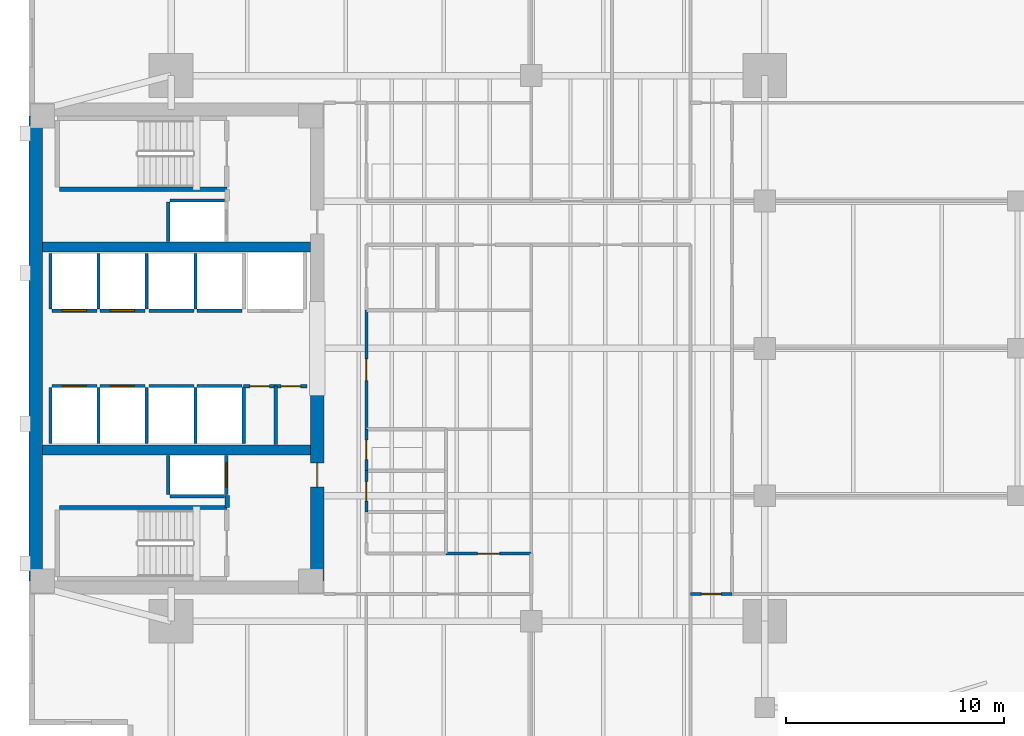
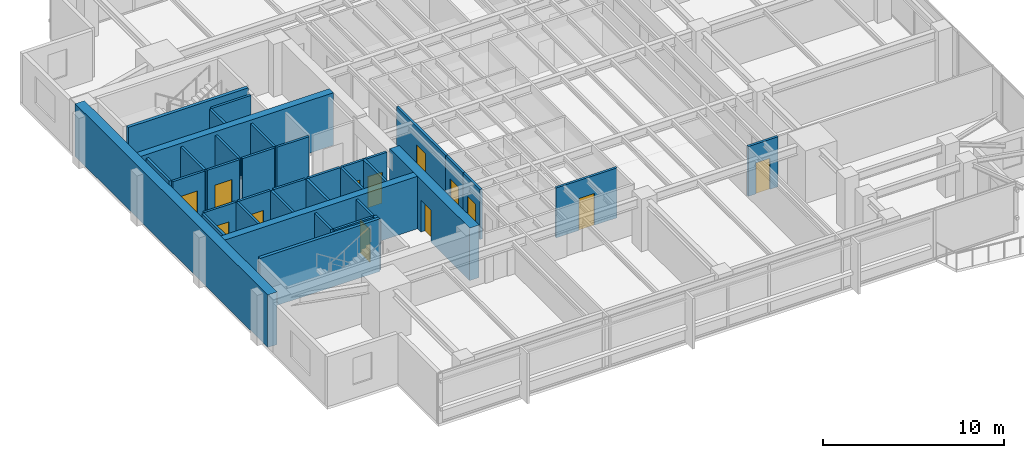
# One storey, part 8 of 14: 36 walls, 13 doors, 13 openings.
"""IFC4 building model written with IfcOpenShell, lengths in metres."""

from ifc_helpers import new_model, si_unit, direction, frame, frame_2d, origin, place, context, subcontext, project, spatial, rectangle, extrude, material, layer, layer_set, type_object, element, fill, save


model = new_model("IFC4")

# Units and contexts
model_context = context("Model", 3, precision=1e-05, world=origin(), true_north=direction((0.0, 1.0)))
body_context = subcontext(model_context, "Body", "Model", "MODEL_VIEW")
ifc_project = project(units=[si_unit("LENGTHUNIT", "METRE"), si_unit("AREAUNIT", "SQUARE_METRE"), si_unit("VOLUMEUNIT", "CUBIC_METRE"), si_unit("PLANEANGLEUNIT", "RADIAN"), si_unit("MASSUNIT", "GRAM", prefix="KILO")], contexts=[model_context])

# Site, building, storey
site_placement = place(None, origin())
site = spatial("IfcSite", under=ifc_project, at=site_placement, CompositionType="ELEMENT")
building_placement = place(site_placement, origin())
building = spatial("IfcBuilding", under=site, at=building_placement, Name="Kinhvarn Gate Tower", CompositionType="ELEMENT")
storey_placement = place(building_placement, frame((0.0, 0.0, 155.5)))
storey = spatial("IfcBuildingStorey", under=building, at=storey_placement, Name="L41", CompositionType="ELEMENT", Elevation=155.5)

# Walls
ifc_material_1 = material(Name="Concrete C50/60", Category="concrete")
ifc_layer_1 = layer(ifc_material_1, 0.449951171875)
ifc_layer_set_1 = layer_set([ifc_layer_1], Name="Concrete C50/60")
wall_type_1 = type_object("IfcWallType", Name="WL-CORE-450", PredefinedType="SHEAR", material=ifc_layer_set_1)
for number, where, z_axis, x_axis, name in (
    (1, (5.10009765625, 20.60009765625, 0.0), (0.0, 0.0, 1.0), (1.0, 0.0, 0.0), "Core South Spine Shear Wall L41 450 mm"),
    (2, (5.10009765625, 29.89990234375, 0.0), (0.0, 0.0, 1.0), (1.0, 0.0, 0.0), "Core North Spine Shear Wall L41 450 mm"),
):
    element("IfcWall", number, at=place(storey_placement, frame(where, z_axis=z_axis, x_axis=x_axis)), inside=storey, type_object=wall_type_1, Name=name, PredefinedType="SHEAR", context=body_context, shape_type="SweptSolid", body=[
        extrude(rectangle(XDim=12.2998046875, YDim=0.449951171875, at=frame_2d((6.14990234375, 0.0))), origin(), (0.0, 0.0, 1.0), 3.550048828125),
    ])

# Wall, opening, door
ifc_material_2 = material(Name="Concrete C60/75", Category="concrete")
ifc_layer_2 = layer(ifc_material_2, 0.60009765625)
ifc_layer_set_2 = layer_set([ifc_layer_2], Name="Concrete C60/75")
wall_type_2 = type_object("IfcWallType", Name="WL-CORE-600", PredefinedType="SHEAR", material=ifc_layer_set_2)
wall_1_placement = place(storey_placement, frame((17.699951171875, 14.60009765625, 0.0), z_axis=(0.0, 0.0, 1.0), x_axis=(0.0, 1.0, 0.0)))
wall_1 = element("IfcWall", 3, at=wall_1_placement, inside=storey, type_object=wall_type_2, Name="Core East-South Shear Pier L41 600 mm", PredefinedType="SHEAR", context=body_context, shape_type="SweptSolid", body=[
    extrude(rectangle(XDim=8.849853515625, YDim=0.60009765625, at=frame_2d((4.4248046875, 0.0))), origin(), (0.0, 0.0, 1.0), 3.550048828125),
])
opening_1_placement = place(wall_1_placement, frame((4.300048828125, 0.0, 0.0)))
opening_1 = element("IfcOpeningElement", 4, at=opening_1_placement, cuts=wall_1, Name="Opening FD-02", PredefinedType="OPENING", context=body_context, shape_type="SweptSolid", body=[
    extrude(rectangle(XDim=1.10009765625, YDim=2.14990234375, at=frame_2d((0.550048828125, 1.074951171875))), frame((0.0, 0.31005859375, 0.0), z_axis=(0.0, -1.0, 0.0), x_axis=(1.0, 0.0, 0.0)), (0.0, 0.0, 1.0), 0.6201171875),
])
ifc_material_3 = material(Name="Anodised aluminium AW-6063", Category="aluminium")
door_type_1 = type_object("IfcDoorType", Name="DR-FD-1100", OperationType="NOTDEFINED", PredefinedType="DOOR", material=ifc_material_3)
door_1_placement = place(opening_1_placement, origin())
door_1 = element("IfcDoor", 5, at=door_1_placement, inside=storey, type_object=door_type_1, Name="Firefighting Lobby Core Door (L41)", OperationType="SINGLE_SWING_RIGHT", OverallHeight=2.14990234375, OverallWidth=1.10009765625, PredefinedType="DOOR", context=body_context, shape_type="SweptSolid", body=[
    extrude(rectangle(XDim=1.10009765625, YDim=2.14990234375, at=frame_2d((0.550048828125, 1.074951171875))), frame((0.0, 0.02490234375, 0.0), z_axis=(0.0, -1.0, 0.0), x_axis=(1.0, 0.0, 0.0)), (0.0, 0.0, 1.0), 0.050048828125),
])
fill(opening_1, door_1)

# Wall
ifc_layer_3 = layer(ifc_material_2, 0.60009765625)
ifc_layer_set_3 = layer_set([ifc_layer_3], Name="Concrete C60/75")
wall_type_3 = type_object("IfcWallType", Name="WL-COREX-600", PredefinedType="SHEAR", material=ifc_layer_set_3)
wall_2_placement = place(storey_placement, frame((4.800048828125, 14.60009765625, 0.0), z_axis=(0.0, 0.0, 1.0), x_axis=(0.0, 1.0, 0.0)))
element("IfcWall", 6, at=wall_2_placement, inside=storey, type_object=wall_type_3, Name="Core West Shear Wall L41 600 mm", PredefinedType="SHEAR", context=body_context, shape_type="SweptSolid", body=[
    extrude(rectangle(XDim=21.2998046875, YDim=0.60009765625, at=frame_2d((10.64990234375, 0.0))), origin(), (0.0, 0.0, 1.0), 3.550048828125),
])

# Wall, opening, door
ifc_material_4 = material(Name="Gypsum acoustic partition board")
ifc_layer_4 = layer(ifc_material_4, 0.14990234375)
ifc_layer_set_4 = layer_set([ifc_layer_4], Name="Gypsum acoustic partition board")
wall_type_4 = type_object("IfcWallType", Name="WL-PLM-150F", PredefinedType="PLUMBINGWALL", material=ifc_layer_set_4)
wall_3_placement = place(storey_placement, frame((19.949951171875, 17.75, 0.0), z_axis=(0.0, 0.0, 1.0), x_axis=(0.0, 1.0, 0.0)))
wall_3 = element("IfcWall", 7, at=wall_3_placement, inside=storey, type_object=wall_type_4, Name="Interior Partition PLW-150F (L41)", PredefinedType="PLUMBINGWALL", context=body_context, shape_type="SweptSolid", body=[
    extrude(rectangle(XDim=1.89990234375, YDim=0.14990234375, at=frame_2d((0.949951171875, 0.0))), origin(), (0.0, 0.0, 1.0), 3.3701171875),
])
opening_2_placement = place(wall_3_placement, frame((0.5, 0.0, 0.0)))
opening_2 = element("IfcOpeningElement", 8, at=opening_2_placement, cuts=wall_3, Name="Opening FD-04", PredefinedType="OPENING", context=body_context, shape_type="SweptSolid", body=[
    extrude(rectangle(XDim=0.89990234375, YDim=2.10009765625, at=frame_2d((0.449951171875, 1.050048828125))), frame((0.0, 0.0849609375, 0.0), z_axis=(0.0, -1.0, 0.0), x_axis=(1.0, 0.0, 0.0)), (0.0, 0.0, 1.0), 0.169921875),
])
door_type_2 = type_object("IfcDoorType", Name="DR-FD-900", OperationType="NOTDEFINED", PredefinedType="DOOR", material=ifc_material_3)
door_2_placement = place(opening_2_placement, origin())
door_2 = element("IfcDoor", 9, at=door_2_placement, inside=storey, type_object=door_type_2, Name="Rated Riser & Service Closet Fire Door 900x2100 mm (L41)", OperationType="SINGLE_SWING_RIGHT", OverallHeight=2.10009765625, OverallWidth=0.89990234375, PredefinedType="DOOR", context=body_context, shape_type="SweptSolid", body=[
    extrude(rectangle(XDim=0.89990234375, YDim=2.10009765625, at=frame_2d((0.449951171875, 1.050048828125))), frame((0.0, 0.02490234375, 0.0), z_axis=(0.0, -1.0, 0.0), x_axis=(1.0, 0.0, 0.0)), (0.0, 0.0, 1.0), 0.050048828125),
])
fill(opening_2, door_2)

wall_4_placement = place(storey_placement, frame((19.949951171875, 19.64990234375, 0.0), z_axis=(0.0, 0.0, 1.0), x_axis=(0.0, 1.0, 0.0)))
wall_4 = element("IfcWall", 10, at=wall_4_placement, inside=storey, type_object=wall_type_4, Name="Interior Partition PLW-150F (L41)", PredefinedType="PLUMBINGWALL", context=body_context, shape_type="SweptSolid", body=[
    extrude(rectangle(XDim=1.900146484375, YDim=0.14990234375, at=frame_2d((0.9501953125, 0.0))), origin(), (0.0, 0.0, 1.0), 3.3701171875),
])
opening_3_placement = place(wall_4_placement, frame((0.5, 0.0, 0.0)))
opening_3 = element("IfcOpeningElement", 11, at=opening_3_placement, cuts=wall_4, Name="Opening FD-04", PredefinedType="OPENING", context=body_context, shape_type="SweptSolid", body=[
    extrude(rectangle(XDim=0.89990234375, YDim=2.10009765625, at=frame_2d((0.449951171875, 1.050048828125))), frame((0.0, 0.0849609375, 0.0), z_axis=(0.0, -1.0, 0.0), x_axis=(1.0, 0.0, 0.0)), (0.0, 0.0, 1.0), 0.169921875),
])
door_3_placement = place(opening_3_placement, origin())
door_3 = element("IfcDoor", 12, at=door_3_placement, inside=storey, type_object=door_type_2, Name="Rated Riser & Service Closet Fire Door 900x2100 mm (L41)", OperationType="SINGLE_SWING_LEFT", OverallHeight=2.10009765625, OverallWidth=0.89990234375, PredefinedType="DOOR", context=body_context, shape_type="SweptSolid", body=[
    extrude(rectangle(XDim=0.89990234375, YDim=2.10009765625, at=frame_2d((0.449951171875, 1.050048828125))), frame((0.0, 0.02490234375, 0.0), z_axis=(0.0, -1.0, 0.0), x_axis=(1.0, 0.0, 0.0)), (0.0, 0.0, 1.0), 0.050048828125),
])
fill(opening_3, door_3)

# Wall
ifc_layer_5 = layer(ifc_material_4, 0.14990234375)
ifc_layer_set_5 = layer_set([ifc_layer_5], Name="Gypsum acoustic partition board")
wall_type_5 = type_object("IfcWallType", Name="WL-PRT-150F", PredefinedType="PARTITIONING", material=ifc_layer_set_5)
wall_5_placement = place(storey_placement, frame((15.800048828125, 20.85009765625, 0.0), z_axis=(0.0, 0.0, 1.0), x_axis=(0.0, 1.0, 0.0)))
element("IfcWall", 13, at=wall_5_placement, inside=storey, type_object=wall_type_5, Name="Interior Partition PW-150F (L41)", PredefinedType="PARTITIONING", context=body_context, shape_type="SweptSolid", body=[
    extrude(rectangle(XDim=2.669921875, YDim=0.14990234375, at=frame_2d((1.3349609375, 0.0))), origin(), (0.0, 0.0, 1.0), 3.3701171875),
])

# Wall, openings, doors
wall_6_placement = place(storey_placement, frame((14.330078125, 23.52001953125, 0.0), z_axis=(0.0, 0.0, 1.0), x_axis=(1.0, 0.0, 0.0)))
wall_6 = element("IfcWall", 14, at=wall_6_placement, inside=storey, type_object=wall_type_5, Name="Interior Partition PW-150F (L41)", PredefinedType="PARTITIONING", context=body_context, shape_type="SweptSolid", body=[
    extrude(rectangle(XDim=2.889892578125, YDim=0.14990234375, at=frame_2d((1.44482421875, 0.0))), origin(), (0.0, 0.0, 1.0), 3.3701171875),
])
opening_4_placement = place(wall_6_placement, frame((0.280029296875, 0.0, 0.0)))
opening_4 = element("IfcOpeningElement", 15, at=opening_4_placement, cuts=wall_6, Name="Opening FD-04", PredefinedType="OPENING", context=body_context, shape_type="SweptSolid", body=[
    extrude(rectangle(XDim=0.89990234375, YDim=2.10009765625, at=frame_2d((0.449951171875, 1.050048828125))), frame((0.0, 0.0849609375, 0.0), z_axis=(0.0, -1.0, 0.0), x_axis=(1.0, 0.0, 0.0)), (0.0, 0.0, 1.0), 0.169921875),
])
opening_5_placement = place(wall_6_placement, frame((1.7099609375, 0.0, 0.0)))
opening_5 = element("IfcOpeningElement", 16, at=opening_5_placement, cuts=wall_6, Name="Opening FD-04", PredefinedType="OPENING", context=body_context, shape_type="SweptSolid", body=[
    extrude(rectangle(XDim=0.89990234375, YDim=2.10009765625, at=frame_2d((0.449951171875, 1.050048828125))), frame((0.0, 0.0849609375, 0.0), z_axis=(0.0, -1.0, 0.0), x_axis=(1.0, 0.0, 0.0)), (0.0, 0.0, 1.0), 0.169921875),
])
door_4_placement = place(opening_4_placement, origin())
door_4 = element("IfcDoor", 17, at=door_4_placement, inside=storey, type_object=door_type_2, Name="Rated Riser & Service Closet Fire Door 900x2100 mm (L41)", OperationType="SINGLE_SWING_LEFT", OverallHeight=2.10009765625, OverallWidth=0.89990234375, PredefinedType="DOOR", context=body_context, shape_type="SweptSolid", body=[
    extrude(rectangle(XDim=0.89990234375, YDim=2.10009765625, at=frame_2d((0.449951171875, 1.050048828125))), frame((0.0, 0.02490234375, 0.0), z_axis=(0.0, -1.0, 0.0), x_axis=(1.0, 0.0, 0.0)), (0.0, 0.0, 1.0), 0.050048828125),
])
fill(opening_4, door_4)
door_5_placement = place(opening_5_placement, origin())
door_5 = element("IfcDoor", 18, at=door_5_placement, inside=storey, type_object=door_type_2, Name="Rated Riser & Service Closet Fire Door 900x2100 mm (L41)", OperationType="SINGLE_SWING_RIGHT", OverallHeight=2.10009765625, OverallWidth=0.89990234375, PredefinedType="DOOR", context=body_context, shape_type="SweptSolid", body=[
    extrude(rectangle(XDim=0.89990234375, YDim=2.10009765625, at=frame_2d((0.449951171875, 1.050048828125))), frame((0.0, 0.02490234375, 0.0), z_axis=(0.0, -1.0, 0.0), x_axis=(1.0, 0.0, 0.0)), (0.0, 0.0, 1.0), 0.050048828125),
])
fill(opening_5, door_5)

# Wall, opening, door
wall_7_placement = place(storey_placement, frame((19.949951171875, 21.550048828125, 0.0), z_axis=(0.0, 0.0, 1.0), x_axis=(0.0, 1.0, 0.0)))
wall_7 = element("IfcWall", 19, at=wall_7_placement, inside=storey, type_object=wall_type_5, Name="Interior Partition PW-150F (L41)", PredefinedType="PARTITIONING", context=body_context, shape_type="SweptSolid", body=[
    extrude(rectangle(XDim=5.449951171875, YDim=0.14990234375, at=frame_2d((2.72509765625, 0.0))), origin(), (0.0, 0.0, 1.0), 3.3701171875),
])
opening_6_placement = place(wall_7_placement, frame((2.22509765625, 0.0, 0.0)))
opening_6 = element("IfcOpeningElement", 20, at=opening_6_placement, cuts=wall_7, Name="Opening ID-02", PredefinedType="OPENING", context=body_context, shape_type="SweptSolid", body=[
    extrude(rectangle(XDim=1.0, YDim=2.14990234375, at=frame_2d((0.5, 1.074951171875))), frame((0.0, 0.0849609375, 0.0), z_axis=(0.0, -1.0, 0.0), x_axis=(1.0, 0.0, 0.0)), (0.0, 0.0, 1.0), 0.169921875),
])
door_type_3 = type_object("IfcDoorType", Name="DR-INT-1000", OperationType="NOTDEFINED", PredefinedType="DOOR", material=ifc_material_3)
door_6_placement = place(opening_6_placement, origin())
door_6 = element("IfcDoor", 21, at=door_6_placement, inside=storey, type_object=door_type_3, Name="Standard Office & Meeting Room Door 1000x2150 mm (L41)", OperationType="SINGLE_SWING_RIGHT", OverallHeight=2.14990234375, OverallWidth=1.0, PredefinedType="DOOR", context=body_context, shape_type="SweptSolid", body=[
    extrude(rectangle(XDim=1.0, YDim=2.14990234375, at=frame_2d((0.5, 1.074951171875))), frame((0.0, 0.02490234375, 0.0), z_axis=(0.0, -1.0, 0.0), x_axis=(1.0, 0.0, 0.0)), (0.0, 0.0, 1.0), 0.050048828125),
])
fill(opening_6, door_6)

wall_8_placement = place(storey_placement, frame((23.60009765625, 15.85009765625, 0.0), z_axis=(0.0, 0.0, 1.0), x_axis=(1.0, 0.0, 0.0)))
wall_8 = element("IfcWall", 22, at=wall_8_placement, inside=storey, type_object=wall_type_5, Name="Interior Partition PW-150F (L41)", PredefinedType="PARTITIONING", context=body_context, shape_type="SweptSolid", body=[
    extrude(rectangle(XDim=3.89990234375, YDim=0.14990234375, at=frame_2d((1.949951171875, 0.0))), origin(), (0.0, 0.0, 1.0), 3.3701171875),
])
opening_7_placement = place(wall_8_placement, frame((1.449951171875, 0.0, 0.0)))
opening_7 = element("IfcOpeningElement", 23, at=opening_7_placement, cuts=wall_8, Name="Opening ID-02", PredefinedType="OPENING", context=body_context, shape_type="SweptSolid", body=[
    extrude(rectangle(XDim=1.0, YDim=2.14990234375, at=frame_2d((0.5, 1.074951171875))), frame((0.0, 0.0849609375, 0.0), z_axis=(0.0, -1.0, 0.0), x_axis=(1.0, 0.0, 0.0)), (0.0, 0.0, 1.0), 0.169921875),
])
door_7_placement = place(opening_7_placement, origin())
door_7 = element("IfcDoor", 24, at=door_7_placement, inside=storey, type_object=door_type_3, Name="Standard Office & Meeting Room Door 1000x2150 mm (L41)", OperationType="SINGLE_SWING_LEFT", OverallHeight=2.14990234375, OverallWidth=1.0, PredefinedType="DOOR", context=body_context, shape_type="SweptSolid", body=[
    extrude(rectangle(XDim=1.0, YDim=2.14990234375, at=frame_2d((0.5, 1.074951171875))), frame((0.0, 0.02490234375, 0.0), z_axis=(0.0, -1.0, 0.0), x_axis=(1.0, 0.0, 0.0)), (0.0, 0.0, 1.0), 0.050048828125),
])
fill(opening_7, door_7)

wall_9_placement = place(storey_placement, frame((34.800048828125, 14.0, 0.0), z_axis=(0.0, 0.0, 1.0), x_axis=(1.0, 0.0, 0.0)))
wall_9 = element("IfcWall", 25, at=wall_9_placement, inside=storey, type_object=wall_type_5, Name="Interior Partition PW-150F (L41)", PredefinedType="PARTITIONING", context=body_context, shape_type="SweptSolid", body=[
    extrude(rectangle(XDim=1.89990234375, YDim=0.14990234375, at=frame_2d((0.949951171875, 0.0))), origin(), (0.0, 0.0, 1.0), 3.3701171875),
])
opening_8_placement = place(wall_9_placement, frame((0.5, 0.0, 0.0)))
opening_8 = element("IfcOpeningElement", 26, at=opening_8_placement, cuts=wall_9, Name="Opening ID-03", PredefinedType="OPENING", context=body_context, shape_type="SweptSolid", body=[
    extrude(rectangle(XDim=0.89990234375, YDim=2.10009765625, at=frame_2d((0.449951171875, 1.050048828125))), frame((0.0, 0.0849609375, 0.0), z_axis=(0.0, -1.0, 0.0), x_axis=(1.0, 0.0, 0.0)), (0.0, 0.0, 1.0), 0.169921875),
])
door_type_4 = type_object("IfcDoorType", Name="DR-INT-900", OperationType="NOTDEFINED", PredefinedType="DOOR", material=ifc_material_3)
door_8_placement = place(opening_8_placement, origin())
door_8 = element("IfcDoor", 27, at=door_8_placement, inside=storey, type_object=door_type_4, Name="Cellular Office & Restroom Door 900x2100 mm (L41)", OperationType="SINGLE_SWING_LEFT", OverallHeight=2.10009765625, OverallWidth=0.89990234375, PredefinedType="DOOR", context=body_context, shape_type="SweptSolid", body=[
    extrude(rectangle(XDim=0.89990234375, YDim=2.10009765625, at=frame_2d((0.449951171875, 1.050048828125))), frame((0.0, 0.02490234375, 0.0), z_axis=(0.0, -1.0, 0.0), x_axis=(1.0, 0.0, 0.0)), (0.0, 0.0, 1.0), 0.050048828125),
])
fill(opening_8, door_8)

# Wall
ifc_layer_6 = layer(ifc_material_4, 0.199951171875)
ifc_layer_set_6 = layer_set([ifc_layer_6], Name="Gypsum acoustic partition board")
wall_type_6 = type_object("IfcWallType", Name="WL-PRT-200", PredefinedType="PARTITIONING", material=ifc_layer_set_6)
wall_10_placement = place(storey_placement, frame((13.580078125, 17.9599609375, 0.0), z_axis=(0.0, 0.0, 1.0), x_axis=(0.0, 1.0, 0.0)))
element("IfcWall", 28, at=wall_10_placement, inside=storey, type_object=wall_type_6, Name="Interior Partition PW-200 (L41)", PredefinedType="PARTITIONING", context=body_context, shape_type="SweptSolid", body=[
    extrude(rectangle(XDim=0.5400390625, YDim=0.199951171875, at=frame_2d((0.27001953125, 0.0))), origin(), (0.0, 0.0, 1.0), 3.3701171875),
])

# Wall, opening, door
ifc_layer_7 = layer(ifc_material_4, 0.14990234375)
ifc_layer_set_7 = layer_set([ifc_layer_7], Name="Gypsum acoustic partition board")
wall_type_7 = type_object("IfcWallType", Name="WL-SHF-150", PredefinedType="PARTITIONING", material=ifc_layer_set_7)
wall_11_placement = place(storey_placement, frame((5.550048828125, 23.52490234375, 0.0), z_axis=(0.0, 0.0, 1.0), x_axis=(1.0, 0.0, 0.0)))
wall_11 = element("IfcWall", 29, at=wall_11_placement, inside=storey, type_object=wall_type_7, Name="Elevator PM-05 Landing Wall (L41)", PredefinedType="PARTITIONING", context=body_context, shape_type="SweptSolid", body=[
    extrude(rectangle(XDim=2.050048828125, YDim=0.14990234375, at=frame_2d((1.02490234375, 0.0))), origin(), (0.0, 0.0, 1.0), 3.3701171875),
])
opening_9_placement = place(wall_11_placement, frame((0.47509765625, 0.0, 0.0)))
opening_9 = element("IfcOpeningElement", 30, at=opening_9_placement, cuts=wall_11, Name="Opening LD-01", PredefinedType="OPENING", context=body_context, shape_type="SweptSolid", body=[
    extrude(rectangle(XDim=1.10009765625, YDim=2.199951171875, at=frame_2d((0.550048828125, 1.10009765625))), frame((0.0, 0.0849609375, 0.0), z_axis=(0.0, -1.0, 0.0), x_axis=(1.0, 0.0, 0.0)), (0.0, 0.0, 1.0), 0.169921875),
])
door_type_5 = type_object("IfcDoorType", Name="DR-LND-PAS", OperationType="NOTDEFINED", PredefinedType="DOOR", material=ifc_material_3)
door_9_placement = place(opening_9_placement, origin())
door_9 = element("IfcDoor", 31, at=door_9_placement, inside=storey, type_object=door_type_5, Name="Elevator PM-05 Sliding Landing Door (L41)", OperationType="DOUBLE_DOOR_SLIDING", OverallHeight=2.199951171875, OverallWidth=1.10009765625, PredefinedType="DOOR", context=body_context, shape_type="SweptSolid", body=[
    extrude(rectangle(XDim=1.10009765625, YDim=2.199951171875, at=frame_2d((0.550048828125, 1.10009765625))), frame((0.0, 0.02490234375, 0.0), z_axis=(0.0, -1.0, 0.0), x_axis=(1.0, 0.0, 0.0)), (0.0, 0.0, 1.0), 0.050048828125),
])
fill(opening_9, door_9)

# Walls
for number, where, z_axis, x_axis, name in (
    (32, (5.47509765625, 20.89990234375, 0.0), (0.0, 0.0, 1.0), (0.0, 1.0, 0.0), "Elevator PM-05 Hoistway Wall W (L41)"),
    (33, (7.675048828125, 20.89990234375, 0.0), (0.0, 0.0, 1.0), (0.0, 1.0, 0.0), "Elevator PM-05 Hoistway Wall E (L41)"),
):
    element("IfcWall", number, at=place(storey_placement, frame(where, z_axis=z_axis, x_axis=x_axis)), inside=storey, type_object=wall_type_7, Name=name, PredefinedType="PARTITIONING", context=body_context, shape_type="SweptSolid", body=[
        extrude(rectangle(XDim=2.550048828125, YDim=0.14990234375, at=frame_2d((1.27490234375, 0.0))), origin(), (0.0, 0.0, 1.0), 3.3701171875),
    ])

# Wall, opening, door
wall_12_placement = place(storey_placement, frame((7.75, 23.52490234375, 0.0), z_axis=(0.0, 0.0, 1.0), x_axis=(1.0, 0.0, 0.0)))
wall_12 = element("IfcWall", 34, at=wall_12_placement, inside=storey, type_object=wall_type_7, Name="Elevator PM-06 Landing Wall (L41)", PredefinedType="PARTITIONING", context=body_context, shape_type="SweptSolid", body=[
    extrude(rectangle(XDim=2.050048828125, YDim=0.14990234375, at=frame_2d((1.02490234375, 0.0))), origin(), (0.0, 0.0, 1.0), 3.3701171875),
])
opening_10_placement = place(wall_12_placement, frame((0.47509765625, 0.0, 0.0)))
opening_10 = element("IfcOpeningElement", 35, at=opening_10_placement, cuts=wall_12, Name="Opening LD-01", PredefinedType="OPENING", context=body_context, shape_type="SweptSolid", body=[
    extrude(rectangle(XDim=1.10009765625, YDim=2.199951171875, at=frame_2d((0.550048828125, 1.10009765625))), frame((0.0, 0.0849609375, 0.0), z_axis=(0.0, -1.0, 0.0), x_axis=(1.0, 0.0, 0.0)), (0.0, 0.0, 1.0), 0.169921875),
])
door_10_placement = place(opening_10_placement, origin())
door_10 = element("IfcDoor", 36, at=door_10_placement, inside=storey, type_object=door_type_5, Name="Elevator PM-06 Sliding Landing Door (L41)", OperationType="DOUBLE_DOOR_SLIDING", OverallHeight=2.199951171875, OverallWidth=1.10009765625, PredefinedType="DOOR", context=body_context, shape_type="SweptSolid", body=[
    extrude(rectangle(XDim=1.10009765625, YDim=2.199951171875, at=frame_2d((0.550048828125, 1.10009765625))), frame((0.0, 0.02490234375, 0.0), z_axis=(0.0, -1.0, 0.0), x_axis=(1.0, 0.0, 0.0)), (0.0, 0.0, 1.0), 0.050048828125),
])
fill(opening_10, door_10)

# Wall
wall_13_placement = place(storey_placement, frame((9.875, 20.89990234375, 0.0), z_axis=(0.0, 0.0, 1.0), x_axis=(0.0, 1.0, 0.0)))
element("IfcWall", 37, at=wall_13_placement, inside=storey, type_object=wall_type_7, Name="Elevator PM-06 Hoistway Wall E (L41)", PredefinedType="PARTITIONING", context=body_context, shape_type="SweptSolid", body=[
    extrude(rectangle(XDim=2.550048828125, YDim=0.14990234375, at=frame_2d((1.27490234375, 0.0))), origin(), (0.0, 0.0, 1.0), 3.3701171875),
])

# Wall, opening, door
wall_14_placement = place(storey_placement, frame((5.550048828125, 26.97509765625, 0.0), z_axis=(0.0, 0.0, 1.0), x_axis=(1.0, 0.0, 0.0)))
wall_14 = element("IfcWall", 38, at=wall_14_placement, inside=storey, type_object=wall_type_7, Name="Elevator PM-07 Landing Wall (L41)", PredefinedType="PARTITIONING", context=body_context, shape_type="SweptSolid", body=[
    extrude(rectangle(XDim=2.050048828125, YDim=0.14990234375, at=frame_2d((1.02490234375, 0.0))), origin(), (0.0, 0.0, 1.0), 3.3701171875),
])
opening_11_placement = place(wall_14_placement, frame((0.47509765625, 0.0, 0.0)))
opening_11 = element("IfcOpeningElement", 39, at=opening_11_placement, cuts=wall_14, Name="Opening LD-01", PredefinedType="OPENING", context=body_context, shape_type="SweptSolid", body=[
    extrude(rectangle(XDim=1.10009765625, YDim=2.199951171875, at=frame_2d((0.550048828125, 1.10009765625))), frame((0.0, 0.0849609375, 0.0), z_axis=(0.0, -1.0, 0.0), x_axis=(1.0, 0.0, 0.0)), (0.0, 0.0, 1.0), 0.169921875),
])
door_11_placement = place(opening_11_placement, origin())
door_11 = element("IfcDoor", 40, at=door_11_placement, inside=storey, type_object=door_type_5, Name="Elevator PM-07 Sliding Landing Door (L41)", OperationType="DOUBLE_DOOR_SLIDING", OverallHeight=2.199951171875, OverallWidth=1.10009765625, PredefinedType="DOOR", context=body_context, shape_type="SweptSolid", body=[
    extrude(rectangle(XDim=1.10009765625, YDim=2.199951171875, at=frame_2d((0.550048828125, 1.10009765625))), frame((0.0, 0.02490234375, 0.0), z_axis=(0.0, -1.0, 0.0), x_axis=(1.0, 0.0, 0.0)), (0.0, 0.0, 1.0), 0.050048828125),
])
fill(opening_11, door_11)

# Walls
for number, where, z_axis, x_axis, name in (
    (41, (5.47509765625, 27.050048828125, 0.0), (0.0, 0.0, 1.0), (0.0, 1.0, 0.0), "Elevator PM-07 Hoistway Wall W (L41)"),
    (42, (7.675048828125, 27.050048828125, 0.0), (0.0, 0.0, 1.0), (0.0, 1.0, 0.0), "Elevator PM-07 Hoistway Wall E (L41)"),
):
    element("IfcWall", number, at=place(storey_placement, frame(where, z_axis=z_axis, x_axis=x_axis)), inside=storey, type_object=wall_type_7, Name=name, PredefinedType="PARTITIONING", context=body_context, shape_type="SweptSolid", body=[
        extrude(rectangle(XDim=2.550048828125, YDim=0.14990234375, at=frame_2d((1.27490234375, 0.0))), origin(), (0.0, 0.0, 1.0), 3.3701171875),
    ])

# Wall, opening, door
wall_15_placement = place(storey_placement, frame((7.75, 26.97509765625, 0.0), z_axis=(0.0, 0.0, 1.0), x_axis=(1.0, 0.0, 0.0)))
wall_15 = element("IfcWall", 43, at=wall_15_placement, inside=storey, type_object=wall_type_7, Name="Elevator PM-08 Landing Wall (L41)", PredefinedType="PARTITIONING", context=body_context, shape_type="SweptSolid", body=[
    extrude(rectangle(XDim=2.050048828125, YDim=0.14990234375, at=frame_2d((1.02490234375, 0.0))), origin(), (0.0, 0.0, 1.0), 3.3701171875),
])
opening_12_placement = place(wall_15_placement, frame((0.47509765625, 0.0, 0.0)))
opening_12 = element("IfcOpeningElement", 44, at=opening_12_placement, cuts=wall_15, Name="Opening LD-01", PredefinedType="OPENING", context=body_context, shape_type="SweptSolid", body=[
    extrude(rectangle(XDim=1.10009765625, YDim=2.199951171875, at=frame_2d((0.550048828125, 1.10009765625))), frame((0.0, 0.0849609375, 0.0), z_axis=(0.0, -1.0, 0.0), x_axis=(1.0, 0.0, 0.0)), (0.0, 0.0, 1.0), 0.169921875),
])
door_12_placement = place(opening_12_placement, origin())
door_12 = element("IfcDoor", 45, at=door_12_placement, inside=storey, type_object=door_type_5, Name="Elevator PM-08 Sliding Landing Door (L41)", OperationType="DOUBLE_DOOR_SLIDING", OverallHeight=2.199951171875, OverallWidth=1.10009765625, PredefinedType="DOOR", context=body_context, shape_type="SweptSolid", body=[
    extrude(rectangle(XDim=1.10009765625, YDim=2.199951171875, at=frame_2d((0.550048828125, 1.10009765625))), frame((0.0, 0.02490234375, 0.0), z_axis=(0.0, -1.0, 0.0), x_axis=(1.0, 0.0, 0.0)), (0.0, 0.0, 1.0), 0.050048828125),
])
fill(opening_12, door_12)

# Walls
wall_16_placement = place(storey_placement, frame((9.875, 27.050048828125, 0.0), z_axis=(0.0, 0.0, 1.0), x_axis=(0.0, 1.0, 0.0)))
element("IfcWall", 46, at=wall_16_placement, inside=storey, type_object=wall_type_7, Name="Elevator PM-08 Hoistway Wall E (L41)", PredefinedType="PARTITIONING", context=body_context, shape_type="SweptSolid", body=[
    extrude(rectangle(XDim=2.550048828125, YDim=0.14990234375, at=frame_2d((1.27490234375, 0.0))), origin(), (0.0, 0.0, 1.0), 3.3701171875),
])
wall_17_placement = place(storey_placement, frame((10.0, 23.52490234375, 0.0), z_axis=(0.0, 0.0, 1.0), x_axis=(1.0, 0.0, 0.0)))
element("IfcWall", 47, at=wall_17_placement, inside=storey, type_object=wall_type_7, Name="Elevator PH-09 Landing Wall (L41)", PredefinedType="PARTITIONING", context=body_context, shape_type="SweptSolid", body=[
    extrude(rectangle(XDim=2.050048828125, YDim=0.14990234375, at=frame_2d((1.02490234375, 0.0))), origin(), (0.0, 0.0, 1.0), 3.3701171875),
])
wall_18_placement = place(storey_placement, frame((12.125, 20.89990234375, 0.0), z_axis=(0.0, 0.0, 1.0), x_axis=(0.0, 1.0, 0.0)))
element("IfcWall", 48, at=wall_18_placement, inside=storey, type_object=wall_type_7, Name="Elevator PH-09 Hoistway Wall E (L41)", PredefinedType="PARTITIONING", context=body_context, shape_type="SweptSolid", body=[
    extrude(rectangle(XDim=2.550048828125, YDim=0.14990234375, at=frame_2d((1.27490234375, 0.0))), origin(), (0.0, 0.0, 1.0), 3.3701171875),
])
wall_19_placement = place(storey_placement, frame((12.199951171875, 23.52490234375, 0.0), z_axis=(0.0, 0.0, 1.0), x_axis=(1.0, 0.0, 0.0)))
element("IfcWall", 49, at=wall_19_placement, inside=storey, type_object=wall_type_7, Name="Elevator PH-10 Landing Wall (L41)", PredefinedType="PARTITIONING", context=body_context, shape_type="SweptSolid", body=[
    extrude(rectangle(XDim=2.050048828125, YDim=0.14990234375, at=frame_2d((1.02490234375, 0.0))), origin(), (0.0, 0.0, 1.0), 3.3701171875),
])
wall_20_placement = place(storey_placement, frame((14.324951171875, 20.89990234375, 0.0), z_axis=(0.0, 0.0, 1.0), x_axis=(0.0, 1.0, 0.0)))
element("IfcWall", 50, at=wall_20_placement, inside=storey, type_object=wall_type_7, Name="Elevator PH-10 Hoistway Wall E (L41)", PredefinedType="PARTITIONING", context=body_context, shape_type="SweptSolid", body=[
    extrude(rectangle(XDim=2.550048828125, YDim=0.14990234375, at=frame_2d((1.27490234375, 0.0))), origin(), (0.0, 0.0, 1.0), 3.3701171875),
])
wall_21_placement = place(storey_placement, frame((10.0, 26.97509765625, 0.0), z_axis=(0.0, 0.0, 1.0), x_axis=(1.0, 0.0, 0.0)))
element("IfcWall", 51, at=wall_21_placement, inside=storey, type_object=wall_type_7, Name="Elevator PH-11 Landing Wall (L41)", PredefinedType="PARTITIONING", context=body_context, shape_type="SweptSolid", body=[
    extrude(rectangle(XDim=2.050048828125, YDim=0.14990234375, at=frame_2d((1.02490234375, 0.0))), origin(), (0.0, 0.0, 1.0), 3.3701171875),
])
wall_22_placement = place(storey_placement, frame((12.125, 27.050048828125, 0.0), z_axis=(0.0, 0.0, 1.0), x_axis=(0.0, 1.0, 0.0)))
element("IfcWall", 52, at=wall_22_placement, inside=storey, type_object=wall_type_7, Name="Elevator PH-11 Hoistway Wall E (L41)", PredefinedType="PARTITIONING", context=body_context, shape_type="SweptSolid", body=[
    extrude(rectangle(XDim=2.550048828125, YDim=0.14990234375, at=frame_2d((1.27490234375, 0.0))), origin(), (0.0, 0.0, 1.0), 3.3701171875),
])
wall_23_placement = place(storey_placement, frame((12.199951171875, 26.97509765625, 0.0), z_axis=(0.0, 0.0, 1.0), x_axis=(1.0, 0.0, 0.0)))
element("IfcWall", 53, at=wall_23_placement, inside=storey, type_object=wall_type_7, Name="Elevator PH-12 Landing Wall (L41)", PredefinedType="PARTITIONING", context=body_context, shape_type="SweptSolid", body=[
    extrude(rectangle(XDim=2.050048828125, YDim=0.14990234375, at=frame_2d((1.02490234375, 0.0))), origin(), (0.0, 0.0, 1.0), 3.3701171875),
])
wall_24_placement = place(storey_placement, frame((10.949951171875, 18.47509765625, 0.0), z_axis=(0.0, 0.0, 1.0), x_axis=(1.0, 0.0, 0.0)))
element("IfcWall", 54, at=wall_24_placement, inside=storey, type_object=wall_type_7, Name="Elevator FF1 Hoistway Wall S (L41)", PredefinedType="PARTITIONING", context=body_context, shape_type="SweptSolid", body=[
    extrude(rectangle(XDim=2.5, YDim=0.14990234375, at=frame_2d((1.25, 0.0))), origin(), (0.0, 0.0, 1.0), 3.3701171875),
])
wall_25_placement = place(storey_placement, frame((10.875, 18.550048828125, 0.0), z_axis=(0.0, 0.0, 1.0), x_axis=(0.0, 1.0, 0.0)))
element("IfcWall", 55, at=wall_25_placement, inside=storey, type_object=wall_type_7, Name="Elevator FF1 Hoistway Wall W (L41)", PredefinedType="PARTITIONING", context=body_context, shape_type="SweptSolid", body=[
    extrude(rectangle(XDim=1.800048828125, YDim=0.14990234375, at=frame_2d((0.89990234375, 0.0))), origin(), (0.0, 0.0, 1.0), 3.3701171875),
])

# Wall, opening, door
wall_26_placement = place(storey_placement, frame((13.52490234375, 18.550048828125, 0.0), z_axis=(0.0, 0.0, 1.0), x_axis=(0.0, 1.0, 0.0)))
wall_26 = element("IfcWall", 56, at=wall_26_placement, inside=storey, type_object=wall_type_7, Name="Elevator FF1 Landing Wall (L41)", PredefinedType="PARTITIONING", context=body_context, shape_type="SweptSolid", body=[
    extrude(rectangle(XDim=1.800048828125, YDim=0.14990234375, at=frame_2d((0.89990234375, 0.0))), origin(), (0.0, 0.0, 1.0), 3.3701171875),
])
opening_13_placement = place(wall_26_placement, frame((0.35009765625, 0.0, 0.0)))
opening_13 = element("IfcOpeningElement", 57, at=opening_13_placement, cuts=wall_26, Name="Opening LD-03", PredefinedType="OPENING", context=body_context, shape_type="SweptSolid", body=[
    extrude(rectangle(XDim=1.10009765625, YDim=2.199951171875, at=frame_2d((0.550048828125, 1.10009765625))), frame((0.0, 0.0849609375, 0.0), z_axis=(0.0, -1.0, 0.0), x_axis=(1.0, 0.0, 0.0)), (0.0, 0.0, 1.0), 0.169921875),
])
door_type_6 = type_object("IfcDoorType", Name="DR-LND-FF", OperationType="NOTDEFINED", PredefinedType="DOOR", material=ifc_material_3)
door_13_placement = place(opening_13_placement, origin())
door_13 = element("IfcDoor", 58, at=door_13_placement, inside=storey, type_object=door_type_6, Name="Elevator FF1 Sliding Landing Door (L41)", OperationType="DOUBLE_DOOR_SLIDING", OverallHeight=2.199951171875, OverallWidth=1.10009765625, PredefinedType="DOOR", context=body_context, shape_type="SweptSolid", body=[
    extrude(rectangle(XDim=1.10009765625, YDim=2.199951171875, at=frame_2d((0.550048828125, 1.10009765625))), frame((0.0, 0.02490234375, 0.0), z_axis=(0.0, -1.0, 0.0), x_axis=(1.0, 0.0, 0.0)), (0.0, 0.0, 1.0), 0.050048828125),
])
fill(opening_13, door_13)

# Walls
wall_27_placement = place(storey_placement, frame((10.949951171875, 32.02490234375, 0.0), z_axis=(0.0, 0.0, 1.0), x_axis=(1.0, 0.0, 0.0)))
element("IfcWall", 59, at=wall_27_placement, inside=storey, type_object=wall_type_7, Name="Elevator FF2 Hoistway Wall N (L41)", PredefinedType="PARTITIONING", context=body_context, shape_type="SweptSolid", body=[
    extrude(rectangle(XDim=2.5, YDim=0.14990234375, at=frame_2d((1.25, 0.0))), origin(), (0.0, 0.0, 1.0), 3.3701171875),
])
wall_28_placement = place(storey_placement, frame((10.875, 30.14990234375, 0.0), z_axis=(0.0, 0.0, 1.0), x_axis=(0.0, 1.0, 0.0)))
element("IfcWall", 60, at=wall_28_placement, inside=storey, type_object=wall_type_7, Name="Elevator FF2 Hoistway Wall W (L41)", PredefinedType="PARTITIONING", context=body_context, shape_type="SweptSolid", body=[
    extrude(rectangle(XDim=1.800048828125, YDim=0.14990234375, at=frame_2d((0.89990234375, 0.0))), origin(), (0.0, 0.0, 1.0), 3.3701171875),
])
ifc_material_5 = material(Name="Concrete C40/50", Category="concrete")
ifc_layer_8 = layer(ifc_material_5, 0.199951171875)
ifc_layer_set_8 = layer_set([ifc_layer_8], Name="Concrete C40/50")
wall_type_8 = type_object("IfcWallType", Name="WL-SHF-200", PredefinedType="SOLIDWALL", material=ifc_layer_set_8)
for number, where, z_axis, x_axis, name in (
    (61, (5.89990234375, 17.9599609375, 0.0), (0.0, 0.0, 1.0), (1.0, 0.0, 0.0), "Stair ST1 North Shaft Wall (L41)"),
    (62, (5.89990234375, 32.5400390625, 0.0), (0.0, 0.0, 1.0), (1.0, 0.0, 0.0), "Stair ST2 South Shaft Wall (L41)"),
):
    element("IfcWall", number, at=place(storey_placement, frame(where, z_axis=z_axis, x_axis=x_axis)), inside=storey, type_object=wall_type_8, Name=name, PredefinedType="SOLIDWALL", context=body_context, shape_type="SweptSolid", body=[
        extrude(rectangle(XDim=7.66015625, YDim=0.199951171875, at=frame_2d((3.830078125, 0.0))), origin(), (0.0, 0.0, 1.0), 3.550048828125),
    ])

save(model, "model.ifc")
